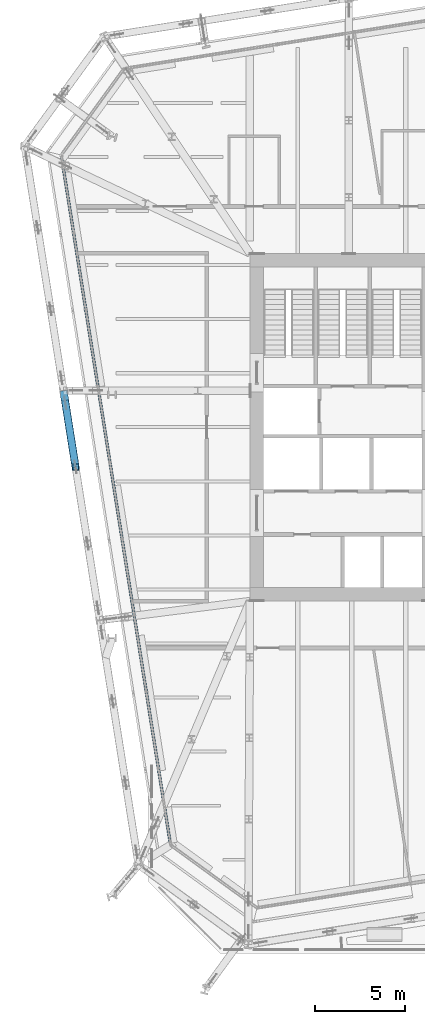
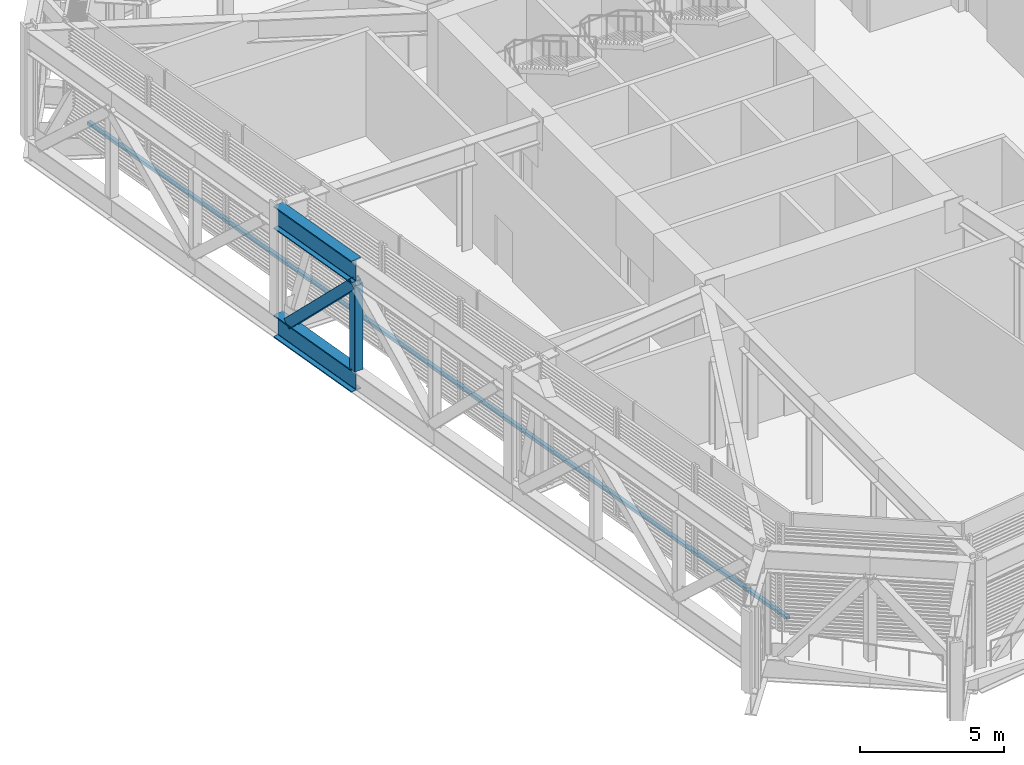
# One storey, part 5 of 32: 3 members, 2 beams, 1 element without a shape of its own.
"""IFC4 building model written with IfcOpenShell, lengths in metres."""

from ifc_helpers import new_model, si_unit, direction, frame, origin, origin_2d, place, context, subcontext, project, spatial, rectangle, hollow_rectangle, i_section, extrude, material, layer, layer_set, material_profile, profile_set, type_object, element, aggregate, save


model = new_model("IFC4")

# Units and contexts
model_context = context("Model", 3, precision=1e-05, world=origin(), true_north=direction((0.0, 1.0)))
body_context = subcontext(model_context, "Body", "Model", "MODEL_VIEW")
ifc_project = project(units=[si_unit("LENGTHUNIT", "METRE"), si_unit("AREAUNIT", "SQUARE_METRE"), si_unit("VOLUMEUNIT", "CUBIC_METRE"), si_unit("PLANEANGLEUNIT", "RADIAN"), si_unit("MASSUNIT", "GRAM", prefix="KILO")], contexts=[model_context])

# Site, building, storey
site_placement = place(None, origin())
site = spatial("IfcSite", under=ifc_project, at=site_placement, CompositionType="ELEMENT")
building_placement = place(site_placement, origin())
building = spatial("IfcBuilding", under=site, at=building_placement, Name="Millrace Tower", CompositionType="ELEMENT")
storey_placement = place(building_placement, frame((0.0, 0.0, 124.89990234375)))
storey = spatial("IfcBuildingStorey", under=building, at=storey_placement, Name="L27", CompositionType="ELEMENT", Elevation=124.89990234375)

# Curtain wall, member
ifc_material_1 = material(Name="Aluminium and glass", Category="aluminium")
ifc_layer = layer(ifc_material_1, 0.14990234375)
ifc_layer_set = layer_set([ifc_layer], Name="Aluminium and glass")
curtain_wall_type = type_object("IfcCurtainWallType", Name="CW-5 truss and plant storey louvred infill", PredefinedType="NOTDEFINED", material=ifc_layer_set)
curtain_wall_placement = place(storey_placement, origin())
curtain_wall = element("IfcCurtainWall", 1, at=curtain_wall_placement, inside=storey, type_object=curtain_wall_type, Name="Curtain wall C-F08 L27", PredefinedType="NOTDEFINED")
ifc_material_2 = material(Name="Aluminium", Category="aluminium")
ifc_material_profile_1 = material_profile(ifc_material_2, rectangle(XDim=0.14990234375, YDim=0.139892578125, at=origin_2d()))
ifc_profile_set_1 = profile_set([ifc_material_profile_1], Name="Aluminium")
member_type_1 = type_object("IfcMemberType", Name="CW-5 truss and plant storey louvred infill transom", PredefinedType="USERDEFINED", material=ifc_profile_set_1)
member_1_placement = place(storey_placement, frame((-25.09619140625, 14.97509765625, 0.070068359375), z_axis=(0.156433422663, -0.987688505691, 0.0), x_axis=(0.987688505691, 0.156433422663, 0.0)))
member_1 = element("IfcMember", 2, at=member_1_placement, type_object=member_type_1, Name="CW5 transom C-F08.1", ObjectType="TRANSOM", PredefinedType="USERDEFINED", context=body_context, shape_type="SweptSolid", body=[
    extrude(rectangle(XDim=0.14990234375, YDim=0.139892578125, at=origin_2d()), origin(), (0.0, 0.0, 1.0), 38.5),
])
aggregate(curtain_wall, [member_1])

# Beams
ifc_material_3 = material(Name="Steel ASTM A992 Grade 50", Category="steel")
ifc_material_profile_2 = material_profile(ifc_material_3, i_section(OverallWidth=0.421630859375, OverallDepth=0.95751953125, WebThickness=0.02587890625, FlangeThickness=0.046875, FilletRadius=0.024169921875, at=origin_2d()))
ifc_profile_set_2 = profile_set([ifc_material_profile_2], Name="Steel ASTM A992 Grade 50")
beam_type = type_object("IfcBeamType", Name="Transfer truss chord W36x330", PredefinedType="BEAM", material=ifc_profile_set_2)
for number, where, z_axis, x_axis, name in (
    (3, (-24.9951171875, 2.031494140625, -0.638671875), (0.156475688094, -0.987681810623, 0.0), (0.987681810623, 0.156475688094, 0.0), "TRS-L27-R15-B01"),
    (4, (-24.9951171875, 2.031494140625, 3.96142578125), (0.156475688094, -0.987681810623, 0.0), (0.987681810623, 0.156475688094, 0.0), "TRS-L27-R15-T01"),
):
    element("IfcBeam", number, at=place(storey_placement, frame(where, z_axis=z_axis, x_axis=x_axis)), inside=storey, type_object=beam_type, Name=name, PredefinedType="BEAM", context=body_context, shape_type="SweptSolid", body=[
        extrude(i_section(OverallWidth=0.421630859375, OverallDepth=0.95751953125, WebThickness=0.02587890625, FlangeThickness=0.046875, FilletRadius=0.024169921875, at=origin_2d()), origin(), (0.0, 0.0, 1.0), 4.300048828125),
    ])

# Members
ifc_material_4 = material(Name="Steel ASTM A500 Grade C", Category="steel")
ifc_material_profile_3 = material_profile(ifc_material_4, hollow_rectangle(XDim=0.406494140625, YDim=0.406494140625, WallThickness=0.0126953125, InnerFilletRadius=0.00634765625, OuterFilletRadius=0.01904296875, at=origin_2d()))
ifc_profile_set_3 = profile_set([ifc_material_profile_3], Name="Steel ASTM A500 Grade C")
member_type_2 = type_object("IfcMemberType", Name="Transfer truss diagonal HSS16x16x1/2", PredefinedType="BRACE", material=ifc_profile_set_3)
member_2_placement = place(storey_placement, frame((-24.885498046875, 1.340087890625, -0.159912109375), z_axis=(0.109980796619, -0.694304430848, 0.711228220531), x_axis=(0.987685312069, 0.156453585206, 0.0)))
element("IfcMember", 5, at=member_2_placement, inside=storey, type_object=member_type_2, Name="TRS-L27-R15-D01", PredefinedType="BRACE", context=body_context, shape_type="SweptSolid", body=[
    extrude(hollow_rectangle(XDim=0.406494140625, YDim=0.406494140625, WallThickness=0.0126953125, InnerFilletRadius=0.00634765625, OuterFilletRadius=0.01904296875, at=origin_2d()), origin(), (0.0, 0.0, 1.0), 5.12109375),
])
ifc_material_5 = material(Name="Steel ASTM A500 Grade C", Category="steel")
ifc_material_profile_4 = material_profile(ifc_material_5, hollow_rectangle(XDim=0.355712890625, YDim=0.355712890625, WallThickness=0.015869140625, InnerFilletRadius=0.008056640625, OuterFilletRadius=0.02392578125, at=origin_2d()))
ifc_profile_set_4 = profile_set([ifc_material_profile_4], Name="Steel ASTM A500 Grade C")
member_type_3 = type_object("IfcMemberType", Name="Transfer truss post HSS14x14x5/8", PredefinedType="POST", material=ifc_profile_set_4)
member_3_placement = place(storey_placement, frame((-24.322265625, -2.215576171875, -0.159912109375), z_axis=(0.0, 0.0, 1.0), x_axis=(1.0, 0.0, 0.0)))
element("IfcMember", 6, at=member_3_placement, inside=storey, type_object=member_type_3, Name="TRS-L27-R15-V01", PredefinedType="POST", context=body_context, shape_type="SweptSolid", body=[
    extrude(hollow_rectangle(XDim=0.355712890625, YDim=0.355712890625, WallThickness=0.015869140625, InnerFilletRadius=0.008056640625, OuterFilletRadius=0.02392578125, at=origin_2d()), origin(), (0.0, 0.0, 1.0), 3.642333984375),
])

save(model, "model.ifc")
